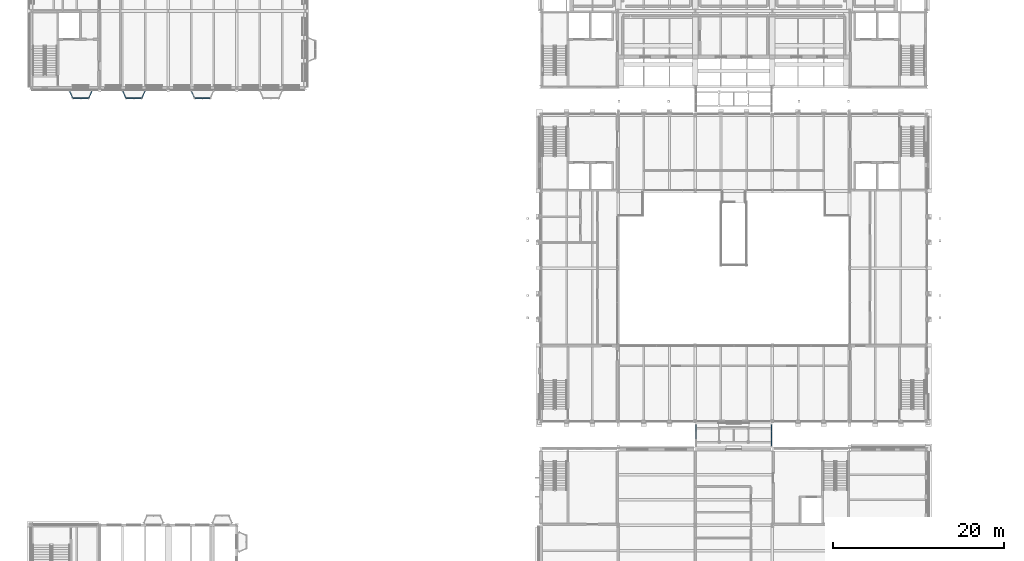
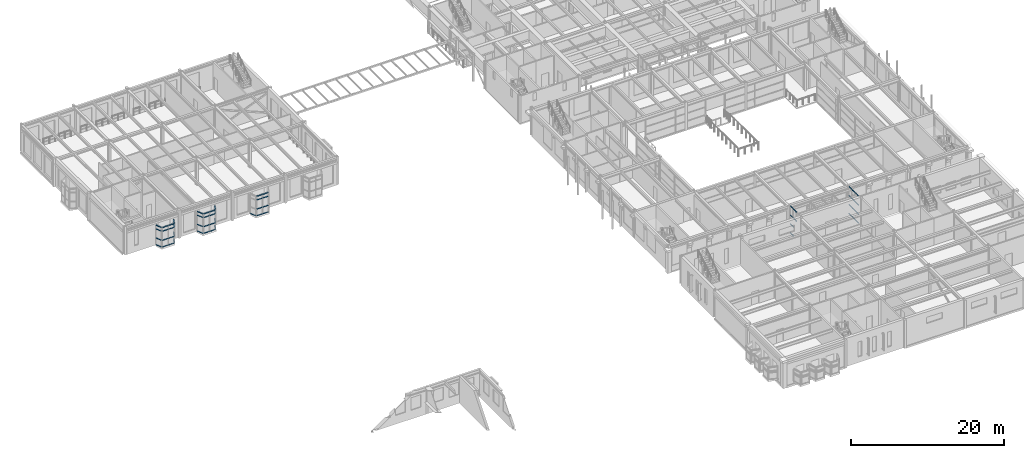
# One storey, part 77 of 153: 59 members, 10 elements without a shape of their own.
"""IFC4 building model written with IfcOpenShell, lengths in metres."""

from ifc_helpers import new_model, si_unit, direction, frame, origin, origin_2d, place, context, subcontext, project, spatial, hollow_rectangle, extrude, material, material_profile, profile_set, type_object, element, aggregate, save


model = new_model("IFC4")

# Units and contexts
model_context = context("Model", 3, precision=1e-05, world=origin(), true_north=direction((0.0, 1.0)))
body_context = subcontext(model_context, "Body", "Model", "MODEL_VIEW")
ifc_project = project(units=[si_unit("LENGTHUNIT", "METRE"), si_unit("AREAUNIT", "SQUARE_METRE"), si_unit("VOLUMEUNIT", "CUBIC_METRE"), si_unit("PLANEANGLEUNIT", "RADIAN"), si_unit("MASSUNIT", "GRAM", prefix="KILO")], contexts=[model_context])

# Site, building, storey
site_placement = place(None, origin())
site = spatial("IfcSite", under=ifc_project, at=site_placement, CompositionType="ELEMENT")
building_placement = place(site_placement, origin())
building = spatial("IfcBuilding", under=site, at=building_placement, Name="Kallimachos Central Library", CompositionType="ELEMENT")
storey_placement = place(building_placement, frame((0.0, 0.0, 5.39990234375)))
storey = spatial("IfcBuildingStorey", under=building, at=storey_placement, Name="L01", CompositionType="ELEMENT", Elevation=5.39990234375)

# Curtain wall, members
ifc_material_1 = material(Name="Laminated glass in anodised aluminium", Category="aluminium")
curtain_wall_type_1 = type_object("IfcCurtainWallType", Name="Foyer curtain wall", PredefinedType="NOTDEFINED", material=ifc_material_1)
curtain_wall_1_placement = place(storey_placement, origin())
curtain_wall_1 = element("IfcCurtainWall", 1, at=curtain_wall_1_placement, inside=storey, type_object=curtain_wall_type_1, Name="Tribune bay return west", PredefinedType="NOTDEFINED")
ifc_material_2 = material(Name="Anodised aluminium", Category="aluminium")
ifc_material_profile_1 = material_profile(ifc_material_2, hollow_rectangle(XDim=0.06005859375, YDim=0.1201171875, WallThickness=0.00390625, at=origin_2d()), Name="ALU TRANSOM 60x120")
ifc_profile_set_1 = profile_set([ifc_material_profile_1], Name="Anodised aluminium")
member_type_1 = type_object("IfcMemberType", Name="ALU TRANSOM 60x120 transom", PredefinedType="USERDEFINED", material=ifc_profile_set_1)
member_1_placement = place(storey_placement, frame((10.499267578125, 86.645263671875, 0.18017578125), z_axis=(0.406112280674, -0.913823186117, 0.0), x_axis=(0.0, 0.0, 1.0)))
member_1 = element("IfcMember", 2, at=member_1_placement, type_object=member_type_1, Name="CW transom 1.1", ObjectType="TRANSOM", PredefinedType="USERDEFINED", context=body_context, shape_type="SweptSolid", body=[
    extrude(hollow_rectangle(XDim=0.06005859375, YDim=0.1201171875, WallThickness=0.00390625, at=origin_2d()), origin(), (0.0, 0.0, 1.0), 0.864990234375),
])
member_2_placement = place(storey_placement, frame((10.499267578125, 86.645263671875, 1.25), z_axis=(0.406112280674, -0.913823186117, 0.0), x_axis=(0.0, 0.0, 1.0)))
member_2 = element("IfcMember", 3, at=member_2_placement, type_object=member_type_1, Name="CW transom 1.2", ObjectType="TRANSOM", PredefinedType="USERDEFINED", context=body_context, shape_type="SweptSolid", body=[
    extrude(hollow_rectangle(XDim=0.06005859375, YDim=0.1201171875, WallThickness=0.00390625, at=origin_2d()), origin(), (0.0, 0.0, 1.0), 0.864990234375),
])
member_3_placement = place(storey_placement, frame((10.499267578125, 86.645263671875, 2.7001953125), z_axis=(0.406112280674, -0.913823186117, 0.0), x_axis=(0.0, 0.0, 1.0)))
member_3 = element("IfcMember", 4, at=member_3_placement, type_object=member_type_1, Name="CW transom 1.3", ObjectType="TRANSOM", PredefinedType="USERDEFINED", context=body_context, shape_type="SweptSolid", body=[
    extrude(hollow_rectangle(XDim=0.06005859375, YDim=0.1201171875, WallThickness=0.00390625, at=origin_2d()), origin(), (0.0, 0.0, 1.0), 0.864990234375),
])
member_4_placement = place(storey_placement, frame((10.499267578125, 86.645263671875, 3.27001953125), z_axis=(0.406112280674, -0.913823186117, 0.0), x_axis=(0.0, 0.0, 1.0)))
member_4 = element("IfcMember", 5, at=member_4_placement, type_object=member_type_1, Name="CW transom 1.4", ObjectType="TRANSOM", PredefinedType="USERDEFINED", context=body_context, shape_type="SweptSolid", body=[
    extrude(hollow_rectangle(XDim=0.06005859375, YDim=0.1201171875, WallThickness=0.00390625, at=origin_2d()), origin(), (0.0, 0.0, 1.0), 0.864990234375),
])
aggregate(curtain_wall_1, [member_1, member_2, member_3, member_4])

curtain_wall_2_placement = place(storey_placement, origin())
curtain_wall_2 = element("IfcCurtainWall", 6, at=curtain_wall_2_placement, inside=storey, type_object=curtain_wall_type_1, Name="Tribune bay front", PredefinedType="NOTDEFINED")
member_5_placement = place(storey_placement, frame((10.93505859375, 85.800048828125, 0.18017578125), z_axis=(1.0, 0.0, 0.0), x_axis=(0.0, 0.0, 1.0)))
member_5 = element("IfcMember", 7, at=member_5_placement, type_object=member_type_1, Name="CW transom 1.1", ObjectType="TRANSOM", PredefinedType="USERDEFINED", context=body_context, shape_type="SweptSolid", body=[
    extrude(hollow_rectangle(XDim=0.06005859375, YDim=0.1201171875, WallThickness=0.00390625, at=origin_2d()), origin(), (0.0, 0.0, 1.0), 0.8349609375),
])
member_6_placement = place(storey_placement, frame((10.93505859375, 85.800048828125, 1.25), z_axis=(1.0, 0.0, 0.0), x_axis=(0.0, 0.0, 1.0)))
member_6 = element("IfcMember", 8, at=member_6_placement, type_object=member_type_1, Name="CW transom 1.2", ObjectType="TRANSOM", PredefinedType="USERDEFINED", context=body_context, shape_type="SweptSolid", body=[
    extrude(hollow_rectangle(XDim=0.06005859375, YDim=0.1201171875, WallThickness=0.00390625, at=origin_2d()), origin(), (0.0, 0.0, 1.0), 0.8349609375),
])
member_7_placement = place(storey_placement, frame((10.93505859375, 85.800048828125, 2.7001953125), z_axis=(1.0, 0.0, 0.0), x_axis=(0.0, 0.0, 1.0)))
member_7 = element("IfcMember", 9, at=member_7_placement, type_object=member_type_1, Name="CW transom 1.3", ObjectType="TRANSOM", PredefinedType="USERDEFINED", context=body_context, shape_type="SweptSolid", body=[
    extrude(hollow_rectangle(XDim=0.06005859375, YDim=0.1201171875, WallThickness=0.00390625, at=origin_2d()), origin(), (0.0, 0.0, 1.0), 0.8349609375),
])
member_8_placement = place(storey_placement, frame((10.93505859375, 85.800048828125, 3.27001953125), z_axis=(1.0, 0.0, 0.0), x_axis=(0.0, 0.0, 1.0)))
member_8 = element("IfcMember", 10, at=member_8_placement, type_object=member_type_1, Name="CW transom 1.4", ObjectType="TRANSOM", PredefinedType="USERDEFINED", context=body_context, shape_type="SweptSolid", body=[
    extrude(hollow_rectangle(XDim=0.06005859375, YDim=0.1201171875, WallThickness=0.00390625, at=origin_2d()), origin(), (0.0, 0.0, 1.0), 0.8349609375),
])
member_9_placement = place(storey_placement, frame((11.830078125, 85.800048828125, 0.18017578125), z_axis=(1.0, 0.0, 0.0), x_axis=(0.0, 0.0, 1.0)))
member_9 = element("IfcMember", 11, at=member_9_placement, type_object=member_type_1, Name="CW transom 2.1", ObjectType="TRANSOM", PredefinedType="USERDEFINED", context=body_context, shape_type="SweptSolid", body=[
    extrude(hollow_rectangle(XDim=0.06005859375, YDim=0.1201171875, WallThickness=0.00390625, at=origin_2d()), origin(), (0.0, 0.0, 1.0), 0.8349609375),
])
member_10_placement = place(storey_placement, frame((11.830078125, 85.800048828125, 1.25), z_axis=(1.0, 0.0, 0.0), x_axis=(0.0, 0.0, 1.0)))
member_10 = element("IfcMember", 12, at=member_10_placement, type_object=member_type_1, Name="CW transom 2.2", ObjectType="TRANSOM", PredefinedType="USERDEFINED", context=body_context, shape_type="SweptSolid", body=[
    extrude(hollow_rectangle(XDim=0.06005859375, YDim=0.1201171875, WallThickness=0.00390625, at=origin_2d()), origin(), (0.0, 0.0, 1.0), 0.8349609375),
])
member_11_placement = place(storey_placement, frame((11.830078125, 85.800048828125, 2.7001953125), z_axis=(1.0, 0.0, 0.0), x_axis=(0.0, 0.0, 1.0)))
member_11 = element("IfcMember", 13, at=member_11_placement, type_object=member_type_1, Name="CW transom 2.3", ObjectType="TRANSOM", PredefinedType="USERDEFINED", context=body_context, shape_type="SweptSolid", body=[
    extrude(hollow_rectangle(XDim=0.06005859375, YDim=0.1201171875, WallThickness=0.00390625, at=origin_2d()), origin(), (0.0, 0.0, 1.0), 0.8349609375),
])
member_12_placement = place(storey_placement, frame((11.830078125, 85.800048828125, 3.27001953125), z_axis=(1.0, 0.0, 0.0), x_axis=(0.0, 0.0, 1.0)))
member_12 = element("IfcMember", 14, at=member_12_placement, type_object=member_type_1, Name="CW transom 2.4", ObjectType="TRANSOM", PredefinedType="USERDEFINED", context=body_context, shape_type="SweptSolid", body=[
    extrude(hollow_rectangle(XDim=0.06005859375, YDim=0.1201171875, WallThickness=0.00390625, at=origin_2d()), origin(), (0.0, 0.0, 1.0), 0.8349609375),
])
aggregate(curtain_wall_2, [member_5, member_6, member_7, member_8, member_9, member_10, member_11, member_12])

curtain_wall_3_placement = place(storey_placement, origin())
curtain_wall_3 = element("IfcCurtainWall", 15, at=curtain_wall_3_placement, inside=storey, type_object=curtain_wall_type_1, Name="Tribune bay return east", PredefinedType="NOTDEFINED")
member_13_placement = place(storey_placement, frame((12.749267578125, 85.854736328125, 0.18017578125), z_axis=(0.406112280674, 0.913823186117, 0.0), x_axis=(0.0, 0.0, 1.0)))
member_13 = element("IfcMember", 16, at=member_13_placement, type_object=member_type_1, Name="CW transom 1.1", ObjectType="TRANSOM", PredefinedType="USERDEFINED", context=body_context, shape_type="SweptSolid", body=[
    extrude(hollow_rectangle(XDim=0.06005859375, YDim=0.1201171875, WallThickness=0.00390625, at=origin_2d()), origin(), (0.0, 0.0, 1.0), 0.864990234375),
])
member_14_placement = place(storey_placement, frame((12.749267578125, 85.854736328125, 1.25), z_axis=(0.406112280674, 0.913823186117, 0.0), x_axis=(0.0, 0.0, 1.0)))
member_14 = element("IfcMember", 17, at=member_14_placement, type_object=member_type_1, Name="CW transom 1.2", ObjectType="TRANSOM", PredefinedType="USERDEFINED", context=body_context, shape_type="SweptSolid", body=[
    extrude(hollow_rectangle(XDim=0.06005859375, YDim=0.1201171875, WallThickness=0.00390625, at=origin_2d()), origin(), (0.0, 0.0, 1.0), 0.864990234375),
])
member_15_placement = place(storey_placement, frame((12.749267578125, 85.854736328125, 2.7001953125), z_axis=(0.406112280674, 0.913823186117, 0.0), x_axis=(0.0, 0.0, 1.0)))
member_15 = element("IfcMember", 18, at=member_15_placement, type_object=member_type_1, Name="CW transom 1.3", ObjectType="TRANSOM", PredefinedType="USERDEFINED", context=body_context, shape_type="SweptSolid", body=[
    extrude(hollow_rectangle(XDim=0.06005859375, YDim=0.1201171875, WallThickness=0.00390625, at=origin_2d()), origin(), (0.0, 0.0, 1.0), 0.864990234375),
])
member_16_placement = place(storey_placement, frame((12.749267578125, 85.854736328125, 3.27001953125), z_axis=(0.406112280674, 0.913823186117, 0.0), x_axis=(0.0, 0.0, 1.0)))
member_16 = element("IfcMember", 19, at=member_16_placement, type_object=member_type_1, Name="CW transom 1.4", ObjectType="TRANSOM", PredefinedType="USERDEFINED", context=body_context, shape_type="SweptSolid", body=[
    extrude(hollow_rectangle(XDim=0.06005859375, YDim=0.1201171875, WallThickness=0.00390625, at=origin_2d()), origin(), (0.0, 0.0, 1.0), 0.864990234375),
])
aggregate(curtain_wall_3, [member_13, member_14, member_15, member_16])

curtain_wall_4_placement = place(storey_placement, origin())
curtain_wall_4 = element("IfcCurtainWall", 20, at=curtain_wall_4_placement, inside=storey, type_object=curtain_wall_type_1, Name="Tribune bay return west", PredefinedType="NOTDEFINED")
member_17_placement = place(storey_placement, frame((16.699462890625, 86.645263671875, 0.18017578125), z_axis=(0.405876567244, -0.913927903154, 0.0), x_axis=(0.0, 0.0, 1.0)))
member_17 = element("IfcMember", 21, at=member_17_placement, type_object=member_type_1, Name="CW transom 1.1", ObjectType="TRANSOM", PredefinedType="USERDEFINED", context=body_context, shape_type="SweptSolid", body=[
    extrude(hollow_rectangle(XDim=0.06005859375, YDim=0.1201171875, WallThickness=0.00390625, at=origin_2d()), origin(), (0.0, 0.0, 1.0), 0.864990234375),
])
member_18_placement = place(storey_placement, frame((16.699462890625, 86.645263671875, 1.25), z_axis=(0.405876567244, -0.913927903154, 0.0), x_axis=(0.0, 0.0, 1.0)))
member_18 = element("IfcMember", 22, at=member_18_placement, type_object=member_type_1, Name="CW transom 1.2", ObjectType="TRANSOM", PredefinedType="USERDEFINED", context=body_context, shape_type="SweptSolid", body=[
    extrude(hollow_rectangle(XDim=0.06005859375, YDim=0.1201171875, WallThickness=0.00390625, at=origin_2d()), origin(), (0.0, 0.0, 1.0), 0.864990234375),
])
member_19_placement = place(storey_placement, frame((16.699462890625, 86.645263671875, 2.7001953125), z_axis=(0.405876567244, -0.913927903154, 0.0), x_axis=(0.0, 0.0, 1.0)))
member_19 = element("IfcMember", 23, at=member_19_placement, type_object=member_type_1, Name="CW transom 1.3", ObjectType="TRANSOM", PredefinedType="USERDEFINED", context=body_context, shape_type="SweptSolid", body=[
    extrude(hollow_rectangle(XDim=0.06005859375, YDim=0.1201171875, WallThickness=0.00390625, at=origin_2d()), origin(), (0.0, 0.0, 1.0), 0.864990234375),
])
member_20_placement = place(storey_placement, frame((16.699462890625, 86.645263671875, 3.27001953125), z_axis=(0.405876567244, -0.913927903154, 0.0), x_axis=(0.0, 0.0, 1.0)))
member_20 = element("IfcMember", 24, at=member_20_placement, type_object=member_type_1, Name="CW transom 1.4", ObjectType="TRANSOM", PredefinedType="USERDEFINED", context=body_context, shape_type="SweptSolid", body=[
    extrude(hollow_rectangle(XDim=0.06005859375, YDim=0.1201171875, WallThickness=0.00390625, at=origin_2d()), origin(), (0.0, 0.0, 1.0), 0.864990234375),
])
aggregate(curtain_wall_4, [member_17, member_18, member_19, member_20])

curtain_wall_5_placement = place(storey_placement, origin())
curtain_wall_5 = element("IfcCurtainWall", 25, at=curtain_wall_5_placement, inside=storey, type_object=curtain_wall_type_1, Name="Tribune bay front", PredefinedType="NOTDEFINED")
member_21_placement = place(storey_placement, frame((17.135009765625, 85.800048828125, 0.18017578125), z_axis=(1.0, 0.0, 0.0), x_axis=(0.0, 0.0, 1.0)))
member_21 = element("IfcMember", 26, at=member_21_placement, type_object=member_type_1, Name="CW transom 1.1", ObjectType="TRANSOM", PredefinedType="USERDEFINED", context=body_context, shape_type="SweptSolid", body=[
    extrude(hollow_rectangle(XDim=0.06005859375, YDim=0.1201171875, WallThickness=0.00390625, at=origin_2d()), origin(), (0.0, 0.0, 1.0), 0.8349609375),
])
member_22_placement = place(storey_placement, frame((17.135009765625, 85.800048828125, 1.25), z_axis=(1.0, 0.0, 0.0), x_axis=(0.0, 0.0, 1.0)))
member_22 = element("IfcMember", 27, at=member_22_placement, type_object=member_type_1, Name="CW transom 1.2", ObjectType="TRANSOM", PredefinedType="USERDEFINED", context=body_context, shape_type="SweptSolid", body=[
    extrude(hollow_rectangle(XDim=0.06005859375, YDim=0.1201171875, WallThickness=0.00390625, at=origin_2d()), origin(), (0.0, 0.0, 1.0), 0.8349609375),
])
member_23_placement = place(storey_placement, frame((17.135009765625, 85.800048828125, 2.7001953125), z_axis=(1.0, 0.0, 0.0), x_axis=(0.0, 0.0, 1.0)))
member_23 = element("IfcMember", 28, at=member_23_placement, type_object=member_type_1, Name="CW transom 1.3", ObjectType="TRANSOM", PredefinedType="USERDEFINED", context=body_context, shape_type="SweptSolid", body=[
    extrude(hollow_rectangle(XDim=0.06005859375, YDim=0.1201171875, WallThickness=0.00390625, at=origin_2d()), origin(), (0.0, 0.0, 1.0), 0.8349609375),
])
member_24_placement = place(storey_placement, frame((17.135009765625, 85.800048828125, 3.27001953125), z_axis=(1.0, 0.0, 0.0), x_axis=(0.0, 0.0, 1.0)))
member_24 = element("IfcMember", 29, at=member_24_placement, type_object=member_type_1, Name="CW transom 1.4", ObjectType="TRANSOM", PredefinedType="USERDEFINED", context=body_context, shape_type="SweptSolid", body=[
    extrude(hollow_rectangle(XDim=0.06005859375, YDim=0.1201171875, WallThickness=0.00390625, at=origin_2d()), origin(), (0.0, 0.0, 1.0), 0.8349609375),
])
member_25_placement = place(storey_placement, frame((18.030029296875, 85.800048828125, 0.18017578125), z_axis=(1.0, 0.0, 0.0), x_axis=(0.0, 0.0, 1.0)))
member_25 = element("IfcMember", 30, at=member_25_placement, type_object=member_type_1, Name="CW transom 2.1", ObjectType="TRANSOM", PredefinedType="USERDEFINED", context=body_context, shape_type="SweptSolid", body=[
    extrude(hollow_rectangle(XDim=0.06005859375, YDim=0.1201171875, WallThickness=0.00390625, at=origin_2d()), origin(), (0.0, 0.0, 1.0), 0.8349609375),
])
member_26_placement = place(storey_placement, frame((18.030029296875, 85.800048828125, 1.25), z_axis=(1.0, 0.0, 0.0), x_axis=(0.0, 0.0, 1.0)))
member_26 = element("IfcMember", 31, at=member_26_placement, type_object=member_type_1, Name="CW transom 2.2", ObjectType="TRANSOM", PredefinedType="USERDEFINED", context=body_context, shape_type="SweptSolid", body=[
    extrude(hollow_rectangle(XDim=0.06005859375, YDim=0.1201171875, WallThickness=0.00390625, at=origin_2d()), origin(), (0.0, 0.0, 1.0), 0.8349609375),
])
member_27_placement = place(storey_placement, frame((18.030029296875, 85.800048828125, 2.7001953125), z_axis=(1.0, 0.0, 0.0), x_axis=(0.0, 0.0, 1.0)))
member_27 = element("IfcMember", 32, at=member_27_placement, type_object=member_type_1, Name="CW transom 2.3", ObjectType="TRANSOM", PredefinedType="USERDEFINED", context=body_context, shape_type="SweptSolid", body=[
    extrude(hollow_rectangle(XDim=0.06005859375, YDim=0.1201171875, WallThickness=0.00390625, at=origin_2d()), origin(), (0.0, 0.0, 1.0), 0.8349609375),
])
member_28_placement = place(storey_placement, frame((18.030029296875, 85.800048828125, 3.27001953125), z_axis=(1.0, 0.0, 0.0), x_axis=(0.0, 0.0, 1.0)))
member_28 = element("IfcMember", 33, at=member_28_placement, type_object=member_type_1, Name="CW transom 2.4", ObjectType="TRANSOM", PredefinedType="USERDEFINED", context=body_context, shape_type="SweptSolid", body=[
    extrude(hollow_rectangle(XDim=0.06005859375, YDim=0.1201171875, WallThickness=0.00390625, at=origin_2d()), origin(), (0.0, 0.0, 1.0), 0.8349609375),
])
aggregate(curtain_wall_5, [member_21, member_22, member_23, member_24, member_25, member_26, member_27, member_28])

curtain_wall_6_placement = place(storey_placement, origin())
curtain_wall_6 = element("IfcCurtainWall", 34, at=curtain_wall_6_placement, inside=storey, type_object=curtain_wall_type_1, Name="Tribune bay return east", PredefinedType="NOTDEFINED")
member_29_placement = place(storey_placement, frame((18.949462890625, 85.854736328125, 0.18017578125), z_axis=(0.405876567244, 0.913927903154, 0.0), x_axis=(0.0, 0.0, 1.0)))
member_29 = element("IfcMember", 35, at=member_29_placement, type_object=member_type_1, Name="CW transom 1.1", ObjectType="TRANSOM", PredefinedType="USERDEFINED", context=body_context, shape_type="SweptSolid", body=[
    extrude(hollow_rectangle(XDim=0.06005859375, YDim=0.1201171875, WallThickness=0.00390625, at=origin_2d()), origin(), (0.0, 0.0, 1.0), 0.864990234375),
])
member_30_placement = place(storey_placement, frame((18.949462890625, 85.854736328125, 1.25), z_axis=(0.405876567244, 0.913927903154, 0.0), x_axis=(0.0, 0.0, 1.0)))
member_30 = element("IfcMember", 36, at=member_30_placement, type_object=member_type_1, Name="CW transom 1.2", ObjectType="TRANSOM", PredefinedType="USERDEFINED", context=body_context, shape_type="SweptSolid", body=[
    extrude(hollow_rectangle(XDim=0.06005859375, YDim=0.1201171875, WallThickness=0.00390625, at=origin_2d()), origin(), (0.0, 0.0, 1.0), 0.864990234375),
])
member_31_placement = place(storey_placement, frame((18.949462890625, 85.854736328125, 2.7001953125), z_axis=(0.405876567244, 0.913927903154, 0.0), x_axis=(0.0, 0.0, 1.0)))
member_31 = element("IfcMember", 37, at=member_31_placement, type_object=member_type_1, Name="CW transom 1.3", ObjectType="TRANSOM", PredefinedType="USERDEFINED", context=body_context, shape_type="SweptSolid", body=[
    extrude(hollow_rectangle(XDim=0.06005859375, YDim=0.1201171875, WallThickness=0.00390625, at=origin_2d()), origin(), (0.0, 0.0, 1.0), 0.864990234375),
])
member_32_placement = place(storey_placement, frame((18.949462890625, 85.854736328125, 3.27001953125), z_axis=(0.405876567244, 0.913927903154, 0.0), x_axis=(0.0, 0.0, 1.0)))
member_32 = element("IfcMember", 38, at=member_32_placement, type_object=member_type_1, Name="CW transom 1.4", ObjectType="TRANSOM", PredefinedType="USERDEFINED", context=body_context, shape_type="SweptSolid", body=[
    extrude(hollow_rectangle(XDim=0.06005859375, YDim=0.1201171875, WallThickness=0.00390625, at=origin_2d()), origin(), (0.0, 0.0, 1.0), 0.864990234375),
])
aggregate(curtain_wall_6, [member_29, member_30, member_31, member_32])

# Curtain wall, member
curtain_wall_7_placement = place(storey_placement, origin())
curtain_wall_7 = element("IfcCurtainWall", 39, at=curtain_wall_7_placement, inside=storey, type_object=curtain_wall_type_1, Name="Tribune bay return west", PredefinedType="NOTDEFINED")
member_33_placement = place(storey_placement, frame((24.699462890625, 86.645263671875, 0.18017578125), z_axis=(0.405876567244, -0.913927903154, 0.0), x_axis=(0.0, 0.0, 1.0)))
member_33 = element("IfcMember", 40, at=member_33_placement, type_object=member_type_1, Name="CW transom 1.1", ObjectType="TRANSOM", PredefinedType="USERDEFINED", context=body_context, shape_type="SweptSolid", body=[
    extrude(hollow_rectangle(XDim=0.06005859375, YDim=0.1201171875, WallThickness=0.00390625, at=origin_2d()), origin(), (0.0, 0.0, 1.0), 0.864990234375),
])
aggregate(curtain_wall_7, [member_33])

# Curtain wall, members
curtain_wall_8_placement = place(storey_placement, origin())
curtain_wall_8 = element("IfcCurtainWall", 41, at=curtain_wall_8_placement, inside=storey, type_object=curtain_wall_type_1, Name="Tribune bay front", PredefinedType="NOTDEFINED")
member_34_placement = place(storey_placement, frame((25.135009765625, 85.800048828125, 0.18017578125), z_axis=(1.0, 0.0, 0.0), x_axis=(0.0, 0.0, 1.0)))
member_34 = element("IfcMember", 42, at=member_34_placement, type_object=member_type_1, Name="CW transom 1.1", ObjectType="TRANSOM", PredefinedType="USERDEFINED", context=body_context, shape_type="SweptSolid", body=[
    extrude(hollow_rectangle(XDim=0.06005859375, YDim=0.1201171875, WallThickness=0.00390625, at=origin_2d()), origin(), (0.0, 0.0, 1.0), 0.8349609375),
])
member_35_placement = place(storey_placement, frame((25.135009765625, 85.800048828125, 1.25), z_axis=(1.0, 0.0, 0.0), x_axis=(0.0, 0.0, 1.0)))
member_35 = element("IfcMember", 43, at=member_35_placement, type_object=member_type_1, Name="CW transom 1.2", ObjectType="TRANSOM", PredefinedType="USERDEFINED", context=body_context, shape_type="SweptSolid", body=[
    extrude(hollow_rectangle(XDim=0.06005859375, YDim=0.1201171875, WallThickness=0.00390625, at=origin_2d()), origin(), (0.0, 0.0, 1.0), 0.8349609375),
])
member_36_placement = place(storey_placement, frame((25.135009765625, 85.800048828125, 2.7001953125), z_axis=(1.0, 0.0, 0.0), x_axis=(0.0, 0.0, 1.0)))
member_36 = element("IfcMember", 44, at=member_36_placement, type_object=member_type_1, Name="CW transom 1.3", ObjectType="TRANSOM", PredefinedType="USERDEFINED", context=body_context, shape_type="SweptSolid", body=[
    extrude(hollow_rectangle(XDim=0.06005859375, YDim=0.1201171875, WallThickness=0.00390625, at=origin_2d()), origin(), (0.0, 0.0, 1.0), 0.8349609375),
])
member_37_placement = place(storey_placement, frame((25.135009765625, 85.800048828125, 3.27001953125), z_axis=(1.0, 0.0, 0.0), x_axis=(0.0, 0.0, 1.0)))
member_37 = element("IfcMember", 45, at=member_37_placement, type_object=member_type_1, Name="CW transom 1.4", ObjectType="TRANSOM", PredefinedType="USERDEFINED", context=body_context, shape_type="SweptSolid", body=[
    extrude(hollow_rectangle(XDim=0.06005859375, YDim=0.1201171875, WallThickness=0.00390625, at=origin_2d()), origin(), (0.0, 0.0, 1.0), 0.8349609375),
])
member_38_placement = place(storey_placement, frame((26.030029296875, 85.800048828125, 0.18017578125), z_axis=(1.0, 0.0, 0.0), x_axis=(0.0, 0.0, 1.0)))
member_38 = element("IfcMember", 46, at=member_38_placement, type_object=member_type_1, Name="CW transom 2.1", ObjectType="TRANSOM", PredefinedType="USERDEFINED", context=body_context, shape_type="SweptSolid", body=[
    extrude(hollow_rectangle(XDim=0.06005859375, YDim=0.1201171875, WallThickness=0.00390625, at=origin_2d()), origin(), (0.0, 0.0, 1.0), 0.8349609375),
])
member_39_placement = place(storey_placement, frame((26.030029296875, 85.800048828125, 1.25), z_axis=(1.0, 0.0, 0.0), x_axis=(0.0, 0.0, 1.0)))
member_39 = element("IfcMember", 47, at=member_39_placement, type_object=member_type_1, Name="CW transom 2.2", ObjectType="TRANSOM", PredefinedType="USERDEFINED", context=body_context, shape_type="SweptSolid", body=[
    extrude(hollow_rectangle(XDim=0.06005859375, YDim=0.1201171875, WallThickness=0.00390625, at=origin_2d()), origin(), (0.0, 0.0, 1.0), 0.8349609375),
])
member_40_placement = place(storey_placement, frame((26.030029296875, 85.800048828125, 2.7001953125), z_axis=(1.0, 0.0, 0.0), x_axis=(0.0, 0.0, 1.0)))
member_40 = element("IfcMember", 48, at=member_40_placement, type_object=member_type_1, Name="CW transom 2.3", ObjectType="TRANSOM", PredefinedType="USERDEFINED", context=body_context, shape_type="SweptSolid", body=[
    extrude(hollow_rectangle(XDim=0.06005859375, YDim=0.1201171875, WallThickness=0.00390625, at=origin_2d()), origin(), (0.0, 0.0, 1.0), 0.8349609375),
])
member_41_placement = place(storey_placement, frame((26.030029296875, 85.800048828125, 3.27001953125), z_axis=(1.0, 0.0, 0.0), x_axis=(0.0, 0.0, 1.0)))
member_41 = element("IfcMember", 49, at=member_41_placement, type_object=member_type_1, Name="CW transom 2.4", ObjectType="TRANSOM", PredefinedType="USERDEFINED", context=body_context, shape_type="SweptSolid", body=[
    extrude(hollow_rectangle(XDim=0.06005859375, YDim=0.1201171875, WallThickness=0.00390625, at=origin_2d()), origin(), (0.0, 0.0, 1.0), 0.8349609375),
])
aggregate(curtain_wall_8, [member_34, member_35, member_36, member_37, member_38, member_39, member_40, member_41])

ifc_material_3 = material(Name="Aluminium and laminated glass", Category="aluminium")
curtain_wall_type_2 = type_object("IfcCurtainWallType", Name="Link glazed wall", PredefinedType="NOTDEFINED", material=ifc_material_3)
curtain_wall_9_placement = place(storey_placement, origin())
curtain_wall_9 = element("IfcCurtainWall", 50, at=curtain_wall_9_placement, inside=storey, type_object=curtain_wall_type_2, Name="Stacks Link glazed wall L01", PredefinedType="NOTDEFINED")
ifc_material_4 = material(Name="Anodised aluminium", Category="aluminium")
ifc_material_profile_2 = material_profile(ifc_material_4, hollow_rectangle(XDim=0.06005859375, YDim=0.080078125, WallThickness=0.00390625, at=origin_2d()), Name="ALU TRANSOM 60x80")
ifc_profile_set_2 = profile_set([ifc_material_profile_2], Name="Anodised aluminium")
member_type_2 = type_object("IfcMemberType", Name="ALU TRANSOM 60x80 transom", PredefinedType="USERDEFINED", material=ifc_profile_set_2)
member_42_placement = place(storey_placement, frame((83.580078125, 46.0966796875, 2.900146484375), z_axis=(0.0, 1.0, 0.0), x_axis=(0.0, 0.0, 1.0)))
member_42 = element("IfcMember", 51, at=member_42_placement, type_object=member_type_2, Name="CW60 transom 2.3", ObjectType="TRANSOM", PredefinedType="USERDEFINED", context=body_context, shape_type="SweptSolid", body=[
    extrude(hollow_rectangle(XDim=0.06005859375, YDim=0.080078125, WallThickness=0.00390625, at=origin_2d()), origin(), (0.0, 0.0, 1.0), 0.806640625),
])
member_43_placement = place(storey_placement, frame((83.580078125, 46.0966796875, 4.320068359375), z_axis=(0.0, 1.0, 0.0), x_axis=(0.0, 0.0, 1.0)))
member_43 = element("IfcMember", 52, at=member_43_placement, type_object=member_type_2, Name="CW60 transom 2.4", ObjectType="TRANSOM", PredefinedType="USERDEFINED", context=body_context, shape_type="SweptSolid", body=[
    extrude(hollow_rectangle(XDim=0.06005859375, YDim=0.080078125, WallThickness=0.00390625, at=origin_2d()), origin(), (0.0, 0.0, 1.0), 0.806640625),
])
member_44_placement = place(storey_placement, frame((83.580078125, 46.96337890625, 0.030029296875), z_axis=(0.0, 1.0, 0.0), x_axis=(0.0, 0.0, 1.0)))
member_44 = element("IfcMember", 53, at=member_44_placement, type_object=member_type_2, Name="CW60 transom 3.1", ObjectType="TRANSOM", PredefinedType="USERDEFINED", context=body_context, shape_type="SweptSolid", body=[
    extrude(hollow_rectangle(XDim=0.06005859375, YDim=0.080078125, WallThickness=0.00390625, at=origin_2d()), origin(), (0.0, 0.0, 1.0), 0.776611328125),
])
member_45_placement = place(storey_placement, frame((83.580078125, 46.96337890625, 1.4501953125), z_axis=(0.0, 1.0, 0.0), x_axis=(0.0, 0.0, 1.0)))
member_45 = element("IfcMember", 54, at=member_45_placement, type_object=member_type_2, Name="CW60 transom 3.2", ObjectType="TRANSOM", PredefinedType="USERDEFINED", context=body_context, shape_type="SweptSolid", body=[
    extrude(hollow_rectangle(XDim=0.06005859375, YDim=0.080078125, WallThickness=0.00390625, at=origin_2d()), origin(), (0.0, 0.0, 1.0), 0.776611328125),
])
member_46_placement = place(storey_placement, frame((83.580078125, 46.96337890625, 2.900146484375), z_axis=(0.0, 1.0, 0.0), x_axis=(0.0, 0.0, 1.0)))
member_46 = element("IfcMember", 55, at=member_46_placement, type_object=member_type_2, Name="CW60 transom 3.3", ObjectType="TRANSOM", PredefinedType="USERDEFINED", context=body_context, shape_type="SweptSolid", body=[
    extrude(hollow_rectangle(XDim=0.06005859375, YDim=0.080078125, WallThickness=0.00390625, at=origin_2d()), origin(), (0.0, 0.0, 1.0), 0.776611328125),
])
member_47_placement = place(storey_placement, frame((83.580078125, 46.96337890625, 4.320068359375), z_axis=(0.0, 1.0, 0.0), x_axis=(0.0, 0.0, 1.0)))
member_47 = element("IfcMember", 56, at=member_47_placement, type_object=member_type_2, Name="CW60 transom 3.4", ObjectType="TRANSOM", PredefinedType="USERDEFINED", context=body_context, shape_type="SweptSolid", body=[
    extrude(hollow_rectangle(XDim=0.06005859375, YDim=0.080078125, WallThickness=0.00390625, at=origin_2d()), origin(), (0.0, 0.0, 1.0), 0.776611328125),
])
aggregate(curtain_wall_9, [member_42, member_43, member_44, member_45, member_46, member_47])

curtain_wall_10_placement = place(storey_placement, origin())
curtain_wall_10 = element("IfcCurtainWall", 57, at=curtain_wall_10_placement, inside=storey, type_object=curtain_wall_type_2, Name="Stacks Link glazed wall L01", PredefinedType="NOTDEFINED")
member_48_placement = place(storey_placement, frame((92.419921875, 45.260009765625, 0.030029296875), z_axis=(0.0, 1.0, 0.0), x_axis=(0.0, 0.0, 1.0)))
member_48 = element("IfcMember", 58, at=member_48_placement, type_object=member_type_2, Name="CW61 transom 1.1", ObjectType="TRANSOM", PredefinedType="USERDEFINED", context=body_context, shape_type="SweptSolid", body=[
    extrude(hollow_rectangle(XDim=0.06005859375, YDim=0.080078125, WallThickness=0.00390625, at=origin_2d()), origin(), (0.0, 0.0, 1.0), 0.776611328125),
])
member_49_placement = place(storey_placement, frame((92.419921875, 45.260009765625, 1.4501953125), z_axis=(0.0, 1.0, 0.0), x_axis=(0.0, 0.0, 1.0)))
member_49 = element("IfcMember", 59, at=member_49_placement, type_object=member_type_2, Name="CW61 transom 1.2", ObjectType="TRANSOM", PredefinedType="USERDEFINED", context=body_context, shape_type="SweptSolid", body=[
    extrude(hollow_rectangle(XDim=0.06005859375, YDim=0.080078125, WallThickness=0.00390625, at=origin_2d()), origin(), (0.0, 0.0, 1.0), 0.776611328125),
])
member_50_placement = place(storey_placement, frame((92.419921875, 45.260009765625, 2.900146484375), z_axis=(0.0, 1.0, 0.0), x_axis=(0.0, 0.0, 1.0)))
member_50 = element("IfcMember", 60, at=member_50_placement, type_object=member_type_2, Name="CW61 transom 1.3", ObjectType="TRANSOM", PredefinedType="USERDEFINED", context=body_context, shape_type="SweptSolid", body=[
    extrude(hollow_rectangle(XDim=0.06005859375, YDim=0.080078125, WallThickness=0.00390625, at=origin_2d()), origin(), (0.0, 0.0, 1.0), 0.776611328125),
])
member_51_placement = place(storey_placement, frame((92.419921875, 45.260009765625, 4.320068359375), z_axis=(0.0, 1.0, 0.0), x_axis=(0.0, 0.0, 1.0)))
member_51 = element("IfcMember", 61, at=member_51_placement, type_object=member_type_2, Name="CW61 transom 1.4", ObjectType="TRANSOM", PredefinedType="USERDEFINED", context=body_context, shape_type="SweptSolid", body=[
    extrude(hollow_rectangle(XDim=0.06005859375, YDim=0.080078125, WallThickness=0.00390625, at=origin_2d()), origin(), (0.0, 0.0, 1.0), 0.776611328125),
])
member_52_placement = place(storey_placement, frame((92.419921875, 46.0966796875, 0.030029296875), z_axis=(0.0, 1.0, 0.0), x_axis=(0.0, 0.0, 1.0)))
member_52 = element("IfcMember", 62, at=member_52_placement, type_object=member_type_2, Name="CW61 transom 2.1", ObjectType="TRANSOM", PredefinedType="USERDEFINED", context=body_context, shape_type="SweptSolid", body=[
    extrude(hollow_rectangle(XDim=0.06005859375, YDim=0.080078125, WallThickness=0.00390625, at=origin_2d()), origin(), (0.0, 0.0, 1.0), 0.806640625),
])
member_53_placement = place(storey_placement, frame((92.419921875, 46.0966796875, 1.4501953125), z_axis=(0.0, 1.0, 0.0), x_axis=(0.0, 0.0, 1.0)))
member_53 = element("IfcMember", 63, at=member_53_placement, type_object=member_type_2, Name="CW61 transom 2.2", ObjectType="TRANSOM", PredefinedType="USERDEFINED", context=body_context, shape_type="SweptSolid", body=[
    extrude(hollow_rectangle(XDim=0.06005859375, YDim=0.080078125, WallThickness=0.00390625, at=origin_2d()), origin(), (0.0, 0.0, 1.0), 0.806640625),
])
member_54_placement = place(storey_placement, frame((92.419921875, 46.0966796875, 2.900146484375), z_axis=(0.0, 1.0, 0.0), x_axis=(0.0, 0.0, 1.0)))
member_54 = element("IfcMember", 64, at=member_54_placement, type_object=member_type_2, Name="CW61 transom 2.3", ObjectType="TRANSOM", PredefinedType="USERDEFINED", context=body_context, shape_type="SweptSolid", body=[
    extrude(hollow_rectangle(XDim=0.06005859375, YDim=0.080078125, WallThickness=0.00390625, at=origin_2d()), origin(), (0.0, 0.0, 1.0), 0.806640625),
])
member_55_placement = place(storey_placement, frame((92.419921875, 46.0966796875, 4.320068359375), z_axis=(0.0, 1.0, 0.0), x_axis=(0.0, 0.0, 1.0)))
member_55 = element("IfcMember", 65, at=member_55_placement, type_object=member_type_2, Name="CW61 transom 2.4", ObjectType="TRANSOM", PredefinedType="USERDEFINED", context=body_context, shape_type="SweptSolid", body=[
    extrude(hollow_rectangle(XDim=0.06005859375, YDim=0.080078125, WallThickness=0.00390625, at=origin_2d()), origin(), (0.0, 0.0, 1.0), 0.806640625),
])
member_56_placement = place(storey_placement, frame((92.419921875, 46.96337890625, 0.030029296875), z_axis=(0.0, 1.0, 0.0), x_axis=(0.0, 0.0, 1.0)))
member_56 = element("IfcMember", 66, at=member_56_placement, type_object=member_type_2, Name="CW61 transom 3.1", ObjectType="TRANSOM", PredefinedType="USERDEFINED", context=body_context, shape_type="SweptSolid", body=[
    extrude(hollow_rectangle(XDim=0.06005859375, YDim=0.080078125, WallThickness=0.00390625, at=origin_2d()), origin(), (0.0, 0.0, 1.0), 0.776611328125),
])
member_57_placement = place(storey_placement, frame((92.419921875, 46.96337890625, 1.4501953125), z_axis=(0.0, 1.0, 0.0), x_axis=(0.0, 0.0, 1.0)))
member_57 = element("IfcMember", 67, at=member_57_placement, type_object=member_type_2, Name="CW61 transom 3.2", ObjectType="TRANSOM", PredefinedType="USERDEFINED", context=body_context, shape_type="SweptSolid", body=[
    extrude(hollow_rectangle(XDim=0.06005859375, YDim=0.080078125, WallThickness=0.00390625, at=origin_2d()), origin(), (0.0, 0.0, 1.0), 0.776611328125),
])
member_58_placement = place(storey_placement, frame((92.419921875, 46.96337890625, 2.900146484375), z_axis=(0.0, 1.0, 0.0), x_axis=(0.0, 0.0, 1.0)))
member_58 = element("IfcMember", 68, at=member_58_placement, type_object=member_type_2, Name="CW61 transom 3.3", ObjectType="TRANSOM", PredefinedType="USERDEFINED", context=body_context, shape_type="SweptSolid", body=[
    extrude(hollow_rectangle(XDim=0.06005859375, YDim=0.080078125, WallThickness=0.00390625, at=origin_2d()), origin(), (0.0, 0.0, 1.0), 0.776611328125),
])
member_59_placement = place(storey_placement, frame((92.419921875, 46.96337890625, 4.320068359375), z_axis=(0.0, 1.0, 0.0), x_axis=(0.0, 0.0, 1.0)))
member_59 = element("IfcMember", 69, at=member_59_placement, type_object=member_type_2, Name="CW61 transom 3.4", ObjectType="TRANSOM", PredefinedType="USERDEFINED", context=body_context, shape_type="SweptSolid", body=[
    extrude(hollow_rectangle(XDim=0.06005859375, YDim=0.080078125, WallThickness=0.00390625, at=origin_2d()), origin(), (0.0, 0.0, 1.0), 0.776611328125),
])
aggregate(curtain_wall_10, [member_48, member_49, member_50, member_51, member_52, member_53, member_54, member_55, member_56, member_57, member_58, member_59])

save(model, "model.ifc")
